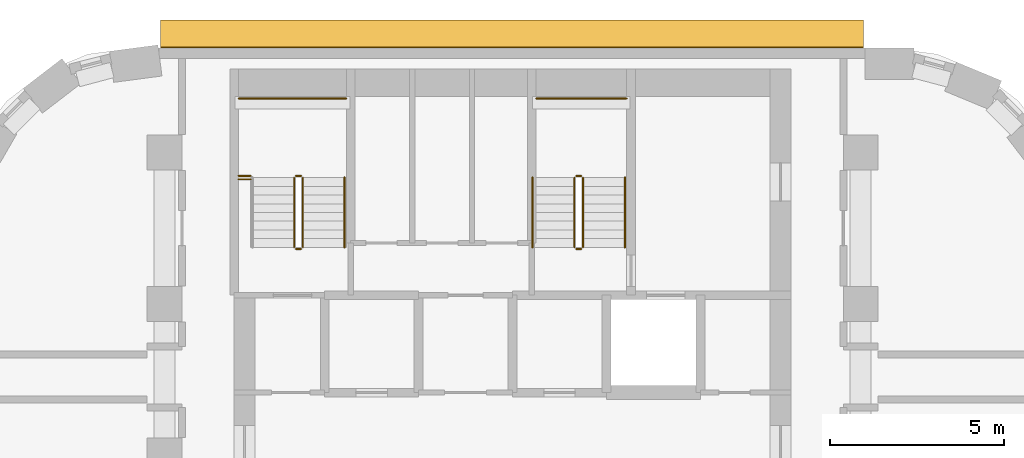
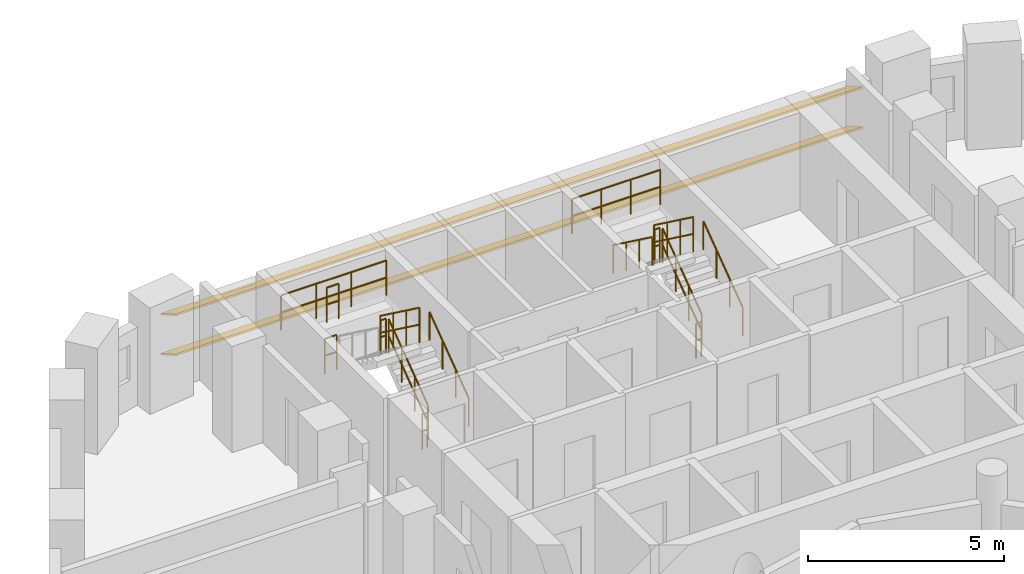
# One storey, part 12 of 12: 15 railings, 2 shading devices.
"""IFC4 building model written with IfcOpenShell, lengths in metres."""

from ifc_helpers import new_model, si_unit, direction, frame, origin, origin_2d, place, context, subcontext, project, spatial, rectangle, circle, extrude, material, material_profile, profile_set, type_object, element, save


model = new_model("IFC4")

# Units and contexts
model_context = context("Model", 3, precision=1e-05, world=origin(), true_north=direction((0.0, 1.0)))
body_context = subcontext(model_context, "Body", "Model", "MODEL_VIEW")
ifc_project = project(units=[si_unit("LENGTHUNIT", "METRE"), si_unit("AREAUNIT", "SQUARE_METRE"), si_unit("VOLUMEUNIT", "CUBIC_METRE"), si_unit("PLANEANGLEUNIT", "RADIAN"), si_unit("MASSUNIT", "GRAM", prefix="KILO")], contexts=[model_context])

# Site, building, storey
site_placement = place(None, origin())
site = spatial("IfcSite", under=ifc_project, at=site_placement, CompositionType="ELEMENT")
building_placement = place(site_placement, origin())
building = spatial("IfcBuilding", under=site, at=building_placement, Name="Nakaniwa Court", CompositionType="ELEMENT")
storey_placement = place(building_placement, frame((0.0, 0.0, 100.800048828125)))
storey = spatial("IfcBuildingStorey", under=building, at=storey_placement, Name="L26", CompositionType="ELEMENT", Elevation=100.800048828125)

# Shading devices
ifc_material_1 = material(Name="Perforated charcoal ceramic louvre blade")
ifc_material_profile = material_profile(ifc_material_1, rectangle(XDim=0.89990234375, YDim=0.050048828125, at=origin_2d()), Name="Perforated ceramic louvre blade")
ifc_profile_set = profile_set([ifc_material_profile], Name="Perforated charcoal ceramic louvre blade")
shading_device_type = type_object("IfcShadingDeviceType", Name="Perforated ceramic louvre blade", PredefinedType="JALOUSIE", material=ifc_profile_set)
for number, where, z_axis, x_axis, name in (
    (1, (90.07861328125, 104.402099609375, 0.550048828125), (-1.0, 0.0, 0.0), (0.0, -0.866025403784, 0.5), "L26 perforated ceramic louvre blade w08 1"),
    (2, (90.07861328125, 104.402099609375, 1.793212890625), (-1.0, 0.0, 0.0), (0.0, -0.866025403784, 0.5), "L26 perforated ceramic louvre blade w08 2"),
):
    element("IfcShadingDevice", number, at=place(storey_placement, frame(where, z_axis=z_axis, x_axis=x_axis)), inside=storey, type_object=shading_device_type, Name=name, PredefinedType="JALOUSIE", context=body_context, shape_type="SweptSolid", body=[
        extrude(rectangle(XDim=0.89990234375, YDim=0.050048828125, at=origin_2d()), origin(), (0.0, 0.0, 1.0), 20.19091796875),
    ])

# Railings
ifc_material_2 = material(Name="Black powder coated steel guard", Category="steel")
railing_type_1 = type_object("IfcRailingType", Name="Stair guard 1100", PredefinedType="GUARDRAIL", material=ifc_material_2)
railing_1_placement = place(storey_placement, frame((73.97509765625, 98.27490234375, 0.183349609375)))
element("IfcRailing", 3, at=railing_1_placement, inside=storey, type_object=railing_type_1, Name="L26 ST1 stair guard 1", PredefinedType="GUARDRAIL", context=body_context, shape_type="SweptSolid", body=[
    extrude(circle(Radius=0.02392578125, at=origin_2d()), frame((0.0, 0.0, 1.076171875), z_axis=(0.0, 0.806426902644, 0.591333789573), x_axis=(-1.0, 0.0, 0.0)), (0.0, 0.0, 1.0), 2.47998046875),
    extrude(circle(Radius=0.02392578125, at=origin_2d()), frame((0.0, 0.0, 0.550048828125), z_axis=(0.0, 0.806426902644, 0.591333789573), x_axis=(-1.0, 0.0, 0.0)), (0.0, 0.0, 1.0), 2.47998046875),
    extrude(circle(Radius=0.02099609375, at=origin_2d()), origin(), (0.0, 0.0, 1.0), 1.052001953125),
    extrude(circle(Radius=0.02099609375, at=origin_2d()), frame((0.0, 0.666748046875, 0.48876953125)), (0.0, 0.0, 1.0), 1.052001953125),
    extrude(circle(Radius=0.02099609375, at=origin_2d()), frame((0.0, 1.333251953125, 0.977783203125)), (0.0, 0.0, 1.0), 1.052001953125),
    extrude(circle(Radius=0.02099609375, at=origin_2d()), frame((0.0, 2.0, 1.466552734375)), (0.0, 0.0, 1.0), 1.052001953125),
])
railing_2_placement = place(storey_placement, frame((73.925048828125, 100.324951171875, 1.64990234375)))
element("IfcRailing", 4, at=railing_2_placement, inside=storey, type_object=railing_type_1, Name="L26 ST1 stair guard 2", PredefinedType="GUARDRAIL", context=body_context, shape_type="SweptSolid", body=[
    extrude(circle(Radius=0.02392578125, at=origin_2d()), frame((0.0, 0.0, 1.076171875), z_axis=(-1.0, 0.0, 0.0), x_axis=(0.0, -1.0, 0.0)), (0.0, 0.0, 1.0), 0.150146484375),
    extrude(circle(Radius=0.02392578125, at=origin_2d()), frame((0.0, 0.0, 0.550048828125), z_axis=(-1.0, 0.0, 0.0), x_axis=(0.0, -1.0, 0.0)), (0.0, 0.0, 1.0), 0.150146484375),
    extrude(circle(Radius=0.02099609375, at=origin_2d()), origin(), (0.0, 0.0, 1.0), 1.052001953125),
    extrude(circle(Radius=0.02099609375, at=origin_2d()), frame((-0.150146484375, 0.0, 0.0)), (0.0, 0.0, 1.0), 1.052001953125),
])
railing_3_placement = place(storey_placement, frame((73.72509765625, 100.27490234375, 1.833251953125)))
element("IfcRailing", 5, at=railing_3_placement, inside=storey, type_object=railing_type_1, Name="L26 ST1 stair guard 3", PredefinedType="GUARDRAIL", context=body_context, shape_type="SweptSolid", body=[
    extrude(circle(Radius=0.02392578125, at=origin_2d()), frame((0.0, 0.0, 1.076171875), z_axis=(0.0, -0.806379959628, 0.591397802423), x_axis=(1.0, 0.0, 0.0)), (0.0, 0.0, 1.0), 2.480224609375),
    extrude(circle(Radius=0.02392578125, at=origin_2d()), frame((0.0, 0.0, 0.550048828125), z_axis=(0.0, -0.806379959628, 0.591397802423), x_axis=(1.0, 0.0, 0.0)), (0.0, 0.0, 1.0), 2.480224609375),
    extrude(circle(Radius=0.02099609375, at=origin_2d()), origin(), (0.0, 0.0, 1.0), 1.052001953125),
    extrude(circle(Radius=0.02099609375, at=origin_2d()), frame((0.0, -0.666748046875, 0.489013671875)), (0.0, 0.0, 1.0), 1.052001953125),
    extrude(circle(Radius=0.02099609375, at=origin_2d()), frame((0.0, -1.333251953125, 0.977783203125)), (0.0, 0.0, 1.0), 1.052001953125),
    extrude(circle(Radius=0.02099609375, at=origin_2d()), frame((0.0, -2.0, 1.466796875)), (0.0, 0.0, 1.0), 1.052001953125),
])
railing_4_placement = place(storey_placement, frame((73.925048828125, 98.22509765625, 0.0)))
element("IfcRailing", 6, at=railing_4_placement, inside=storey, type_object=railing_type_1, Name="L26 ST1 stair guard 4", PredefinedType="GUARDRAIL", context=body_context, shape_type="SweptSolid", body=[
    extrude(circle(Radius=0.02392578125, at=origin_2d()), frame((0.0, 0.0, 1.076171875), z_axis=(-1.0, 0.0, 0.0), x_axis=(0.0, -1.0, 0.0)), (0.0, 0.0, 1.0), 0.150146484375),
    extrude(circle(Radius=0.02392578125, at=origin_2d()), frame((0.0, 0.0, 0.550048828125), z_axis=(-1.0, 0.0, 0.0), x_axis=(0.0, -1.0, 0.0)), (0.0, 0.0, 1.0), 0.150146484375),
    extrude(circle(Radius=0.02099609375, at=origin_2d()), origin(), (0.0, 0.0, 1.0), 1.052001953125),
    extrude(circle(Radius=0.02099609375, at=origin_2d()), frame((-0.150146484375, 0.0, 0.0)), (0.0, 0.0, 1.0), 1.052001953125),
])
railing_5_placement = place(storey_placement, frame((72.125, 102.550048828125, 1.64990234375)))
element("IfcRailing", 7, at=railing_5_placement, inside=storey, type_object=railing_type_1, Name="L26 ST1 landing end guard 1", PredefinedType="GUARDRAIL", context=body_context, shape_type="SweptSolid", body=[
    extrude(circle(Radius=0.02392578125, at=origin_2d()), frame((0.0, 0.0, 1.076171875), z_axis=(1.0, 0.0, 0.0), x_axis=(0.0, 1.0, 0.0)), (0.0, 0.0, 1.0), 3.10009765625),
    extrude(circle(Radius=0.02392578125, at=origin_2d()), frame((0.0, 0.0, 0.550048828125), z_axis=(1.0, 0.0, 0.0), x_axis=(0.0, 1.0, 0.0)), (0.0, 0.0, 1.0), 3.10009765625),
    extrude(circle(Radius=0.02099609375, at=origin_2d()), origin(), (0.0, 0.0, 1.0), 1.052001953125),
    extrude(circle(Radius=0.02099609375, at=origin_2d()), frame((1.033447265625, 0.0, 0.0)), (0.0, 0.0, 1.0), 1.052001953125),
    extrude(circle(Radius=0.02099609375, at=origin_2d()), frame((2.066650390625, 0.0, 0.0)), (0.0, 0.0, 1.0), 1.052001953125),
    extrude(circle(Radius=0.02099609375, at=origin_2d()), frame((3.10009765625, 0.0, 0.0)), (0.0, 0.0, 1.0), 1.052001953125),
])
for number, where, name in (
    (8, (72.125, 100.324951171875, 1.64990234375), "L26 ST1 landing side guard 1W"),
    (9, (72.125, 100.22509765625, 3.300048828125), "L26 ST1 floor edge guard 1W"),
):
    element("IfcRailing", number, at=place(storey_placement, frame(where)), inside=storey, type_object=railing_type_1, Name=name, PredefinedType="GUARDRAIL", context=body_context, shape_type="SweptSolid", body=[
        extrude(circle(Radius=0.02392578125, at=origin_2d()), frame((0.0, 0.0, 1.076171875), z_axis=(1.0, 0.0, 0.0), x_axis=(0.0, 1.0, 0.0)), (0.0, 0.0, 1.0), 0.35009765625),
        extrude(circle(Radius=0.02392578125, at=origin_2d()), frame((0.0, 0.0, 0.550048828125), z_axis=(1.0, 0.0, 0.0), x_axis=(0.0, 1.0, 0.0)), (0.0, 0.0, 1.0), 0.35009765625),
        extrude(circle(Radius=0.02099609375, at=origin_2d()), origin(), (0.0, 0.0, 1.0), 1.052001953125),
        extrude(circle(Radius=0.02099609375, at=origin_2d()), frame((0.35009765625, 0.0, 0.0)), (0.0, 0.0, 1.0), 1.052001953125),
    ])
railing_6_placement = place(storey_placement, frame((82.02490234375, 98.27490234375, 0.183349609375)))
element("IfcRailing", 10, at=railing_6_placement, inside=storey, type_object=railing_type_1, Name="L26 ST2 stair guard 1", PredefinedType="GUARDRAIL", context=body_context, shape_type="SweptSolid", body=[
    extrude(circle(Radius=0.02392578125, at=origin_2d()), frame((0.0, 0.0, 1.076171875), z_axis=(0.0, 0.806426902644, 0.591333789573), x_axis=(-1.0, 0.0, 0.0)), (0.0, 0.0, 1.0), 2.47998046875),
    extrude(circle(Radius=0.02392578125, at=origin_2d()), frame((0.0, 0.0, 0.550048828125), z_axis=(0.0, 0.806426902644, 0.591333789573), x_axis=(-1.0, 0.0, 0.0)), (0.0, 0.0, 1.0), 2.47998046875),
    extrude(circle(Radius=0.02099609375, at=origin_2d()), origin(), (0.0, 0.0, 1.0), 1.052001953125),
    extrude(circle(Radius=0.02099609375, at=origin_2d()), frame((0.0, 0.666748046875, 0.48876953125)), (0.0, 0.0, 1.0), 1.052001953125),
    extrude(circle(Radius=0.02099609375, at=origin_2d()), frame((0.0, 1.333251953125, 0.977783203125)), (0.0, 0.0, 1.0), 1.052001953125),
    extrude(circle(Radius=0.02099609375, at=origin_2d()), frame((0.0, 2.0, 1.466552734375)), (0.0, 0.0, 1.0), 1.052001953125),
])
railing_7_placement = place(storey_placement, frame((81.97509765625, 100.324951171875, 1.64990234375)))
element("IfcRailing", 11, at=railing_7_placement, inside=storey, type_object=railing_type_1, Name="L26 ST2 stair guard 2", PredefinedType="GUARDRAIL", context=body_context, shape_type="SweptSolid", body=[
    extrude(circle(Radius=0.02392578125, at=origin_2d()), frame((0.0, 0.0, 1.076171875), z_axis=(-1.0, 0.0, 0.0), x_axis=(0.0, -1.0, 0.0)), (0.0, 0.0, 1.0), 0.150146484375),
    extrude(circle(Radius=0.02392578125, at=origin_2d()), frame((0.0, 0.0, 0.550048828125), z_axis=(-1.0, 0.0, 0.0), x_axis=(0.0, -1.0, 0.0)), (0.0, 0.0, 1.0), 0.150146484375),
    extrude(circle(Radius=0.02099609375, at=origin_2d()), origin(), (0.0, 0.0, 1.0), 1.052001953125),
    extrude(circle(Radius=0.02099609375, at=origin_2d()), frame((-0.150146484375, 0.0, 0.0)), (0.0, 0.0, 1.0), 1.052001953125),
])
railing_8_placement = place(storey_placement, frame((81.77490234375, 100.27490234375, 1.833251953125)))
element("IfcRailing", 12, at=railing_8_placement, inside=storey, type_object=railing_type_1, Name="L26 ST2 stair guard 3", PredefinedType="GUARDRAIL", context=body_context, shape_type="SweptSolid", body=[
    extrude(circle(Radius=0.02392578125, at=origin_2d()), frame((0.0, 0.0, 1.076171875), z_axis=(0.0, -0.806379959628, 0.591397802423), x_axis=(1.0, 0.0, 0.0)), (0.0, 0.0, 1.0), 2.480224609375),
    extrude(circle(Radius=0.02392578125, at=origin_2d()), frame((0.0, 0.0, 0.550048828125), z_axis=(0.0, -0.806379959628, 0.591397802423), x_axis=(1.0, 0.0, 0.0)), (0.0, 0.0, 1.0), 2.480224609375),
    extrude(circle(Radius=0.02099609375, at=origin_2d()), origin(), (0.0, 0.0, 1.0), 1.052001953125),
    extrude(circle(Radius=0.02099609375, at=origin_2d()), frame((0.0, -0.666748046875, 0.489013671875)), (0.0, 0.0, 1.0), 1.052001953125),
    extrude(circle(Radius=0.02099609375, at=origin_2d()), frame((0.0, -1.333251953125, 0.977783203125)), (0.0, 0.0, 1.0), 1.052001953125),
    extrude(circle(Radius=0.02099609375, at=origin_2d()), frame((0.0, -2.0, 1.466796875)), (0.0, 0.0, 1.0), 1.052001953125),
])
railing_9_placement = place(storey_placement, frame((81.97509765625, 98.22509765625, 0.0)))
element("IfcRailing", 13, at=railing_9_placement, inside=storey, type_object=railing_type_1, Name="L26 ST2 stair guard 4", PredefinedType="GUARDRAIL", context=body_context, shape_type="SweptSolid", body=[
    extrude(circle(Radius=0.02392578125, at=origin_2d()), frame((0.0, 0.0, 1.076171875), z_axis=(-1.0, 0.0, 0.0), x_axis=(0.0, -1.0, 0.0)), (0.0, 0.0, 1.0), 0.150146484375),
    extrude(circle(Radius=0.02392578125, at=origin_2d()), frame((0.0, 0.0, 0.550048828125), z_axis=(-1.0, 0.0, 0.0), x_axis=(0.0, -1.0, 0.0)), (0.0, 0.0, 1.0), 0.150146484375),
    extrude(circle(Radius=0.02099609375, at=origin_2d()), origin(), (0.0, 0.0, 1.0), 1.052001953125),
    extrude(circle(Radius=0.02099609375, at=origin_2d()), frame((-0.150146484375, 0.0, 0.0)), (0.0, 0.0, 1.0), 1.052001953125),
])
railing_10_placement = place(storey_placement, frame((80.675048828125, 102.550048828125, 1.64990234375)))
element("IfcRailing", 14, at=railing_10_placement, inside=storey, type_object=railing_type_1, Name="L26 ST2 landing end guard 1", PredefinedType="GUARDRAIL", context=body_context, shape_type="SweptSolid", body=[
    extrude(circle(Radius=0.02392578125, at=origin_2d()), frame((0.0, 0.0, 1.076171875), z_axis=(1.0, 0.0, 0.0), x_axis=(0.0, 1.0, 0.0)), (0.0, 0.0, 1.0), 2.599853515625),
    extrude(circle(Radius=0.02392578125, at=origin_2d()), frame((0.0, 0.0, 0.550048828125), z_axis=(1.0, 0.0, 0.0), x_axis=(0.0, 1.0, 0.0)), (0.0, 0.0, 1.0), 2.599853515625),
    extrude(circle(Radius=0.02099609375, at=origin_2d()), origin(), (0.0, 0.0, 1.0), 1.052001953125),
    extrude(circle(Radius=0.02099609375, at=origin_2d()), frame((0.86669921875, 0.0, 0.0)), (0.0, 0.0, 1.0), 1.052001953125),
    extrude(circle(Radius=0.02099609375, at=origin_2d()), frame((1.733154296875, 0.0, 0.0)), (0.0, 0.0, 1.0), 1.052001953125),
    extrude(circle(Radius=0.02099609375, at=origin_2d()), frame((2.599853515625, 0.0, 0.0)), (0.0, 0.0, 1.0), 1.052001953125),
])
ifc_material_3 = material(Name="Black powder coated steel handrail", Category="steel")
railing_type_2 = type_object("IfcRailingType", Name="Stair handrail 900", PredefinedType="HANDRAIL", material=ifc_material_3)
for number, where, name in (
    (15, (75.175048828125, 98.27490234375, 0.183349609375), "L26 ST1 stair handrail 1"),
    (16, (83.22509765625, 98.27490234375, 0.183349609375), "L26 ST2 stair handrail 1"),
):
    element("IfcRailing", number, at=place(storey_placement, frame(where)), inside=storey, type_object=railing_type_2, Name=name, PredefinedType="HANDRAIL", context=body_context, shape_type="SweptSolid", body=[
        extrude(circle(Radius=0.02392578125, at=origin_2d()), frame((0.0, 0.0, 0.8759765625), z_axis=(0.0, 0.806426902644, 0.591333789573), x_axis=(-1.0, 0.0, 0.0)), (0.0, 0.0, 1.0), 2.47998046875),
        extrude(circle(Radius=0.02099609375, at=origin_2d()), origin(), (0.0, 0.0, 1.0), 0.851806640625),
        extrude(circle(Radius=0.02099609375, at=origin_2d()), frame((0.0, 0.666748046875, 0.48876953125)), (0.0, 0.0, 1.0), 0.851806640625),
        extrude(circle(Radius=0.02099609375, at=origin_2d()), frame((0.0, 1.333251953125, 0.977783203125)), (0.0, 0.0, 1.0), 0.851806640625),
        extrude(circle(Radius=0.02099609375, at=origin_2d()), frame((0.0, 2.0, 1.466552734375)), (0.0, 0.0, 1.0), 0.851806640625),
    ])
railing_11_placement = place(storey_placement, frame((80.574951171875, 100.27490234375, 1.833251953125)))
element("IfcRailing", 17, at=railing_11_placement, inside=storey, type_object=railing_type_2, Name="L26 ST2 stair handrail 2", PredefinedType="HANDRAIL", context=body_context, shape_type="SweptSolid", body=[
    extrude(circle(Radius=0.02392578125, at=origin_2d()), frame((0.0, 0.0, 0.8759765625), z_axis=(0.0, -0.806379959628, 0.591397802423), x_axis=(1.0, 0.0, 0.0)), (0.0, 0.0, 1.0), 2.480224609375),
    extrude(circle(Radius=0.02099609375, at=origin_2d()), origin(), (0.0, 0.0, 1.0), 0.851806640625),
    extrude(circle(Radius=0.02099609375, at=origin_2d()), frame((0.0, -0.666748046875, 0.489013671875)), (0.0, 0.0, 1.0), 0.851806640625),
    extrude(circle(Radius=0.02099609375, at=origin_2d()), frame((0.0, -1.333251953125, 0.977783203125)), (0.0, 0.0, 1.0), 0.851806640625),
    extrude(circle(Radius=0.02099609375, at=origin_2d()), frame((0.0, -2.0, 1.466796875)), (0.0, 0.0, 1.0), 0.851806640625),
])

save(model, "model.ifc")
